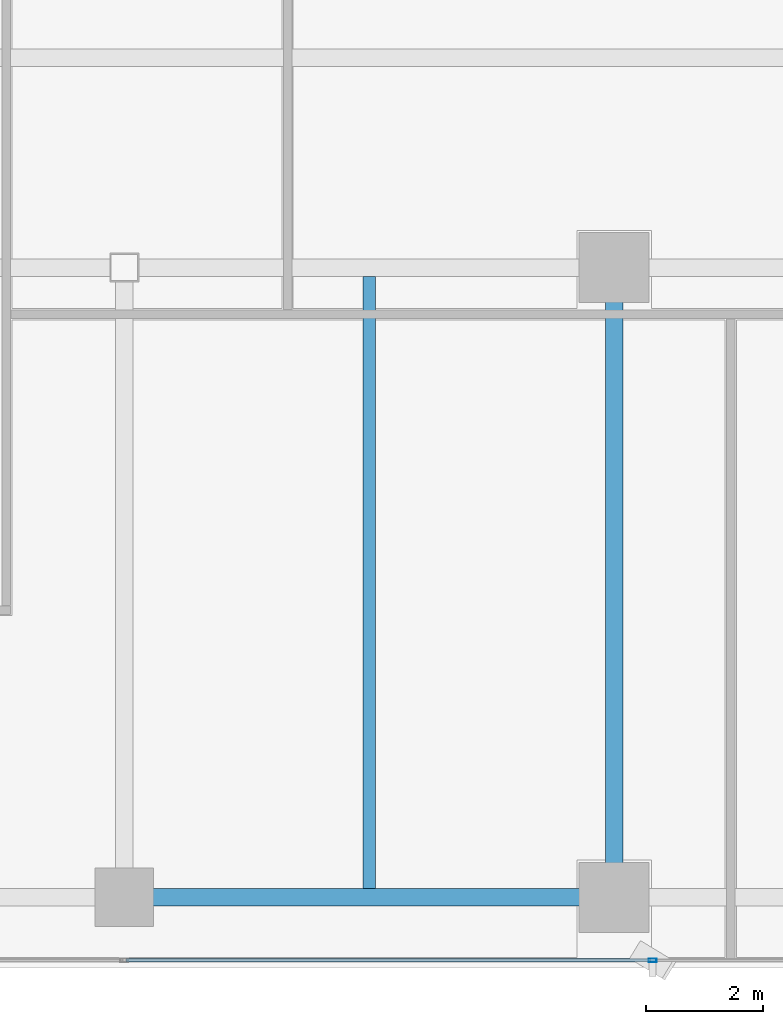
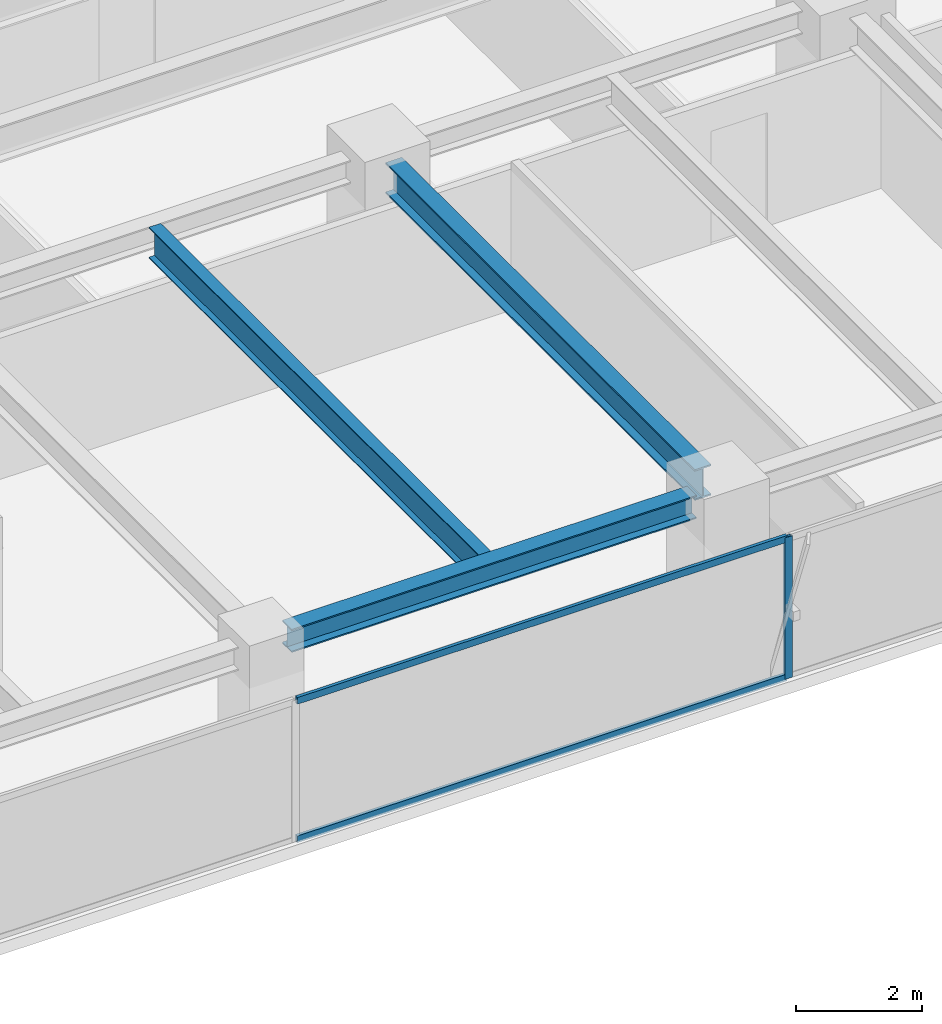
# One storey, part 7 of 26: 3 beams, 3 members, 1 element without a shape of its own.
"""IFC4 building model written with IfcOpenShell, lengths in metres."""

from ifc_helpers import new_model, si_unit, direction, frame, origin, origin_2d, place, context, subcontext, project, spatial, hollow_rectangle, i_section, extrude, source, transform, mapped, material, layer, layer_set, material_profile, profile_set, type_object, element, aggregate, save


model = new_model("IFC4")

# Units and contexts
model_context = context("Model", 3, precision=1e-05, world=origin(), true_north=direction((0.0, 1.0)))
body_context = subcontext(model_context, "Body", "Model", "MODEL_VIEW")
ifc_project = project(units=[si_unit("LENGTHUNIT", "METRE"), si_unit("AREAUNIT", "SQUARE_METRE"), si_unit("VOLUMEUNIT", "CUBIC_METRE"), si_unit("PLANEANGLEUNIT", "RADIAN"), si_unit("MASSUNIT", "GRAM", prefix="KILO")], contexts=[model_context])

# Site, building, storey
site_placement = place(None, origin())
site = spatial("IfcSite", under=ifc_project, at=site_placement, CompositionType="ELEMENT")
building_placement = place(site_placement, origin())
building = spatial("IfcBuilding", under=site, at=building_placement, Name="Sumidabori Civic Tower", CompositionType="ELEMENT")
storey_placement = place(building_placement, frame((0.0, 0.0, 243.199951171875)))
storey = spatial("IfcBuildingStorey", under=building, at=storey_placement, Name="L63", CompositionType="ELEMENT", Elevation=243.199951171875)

# Beams
ifc_material_1 = material(Name="Steel SN490", Category="steel")
ifc_material_profile_1 = material_profile(ifc_material_1, i_section(OverallWidth=0.300048828125, OverallDepth=0.60009765625, WebThickness=0.015380859375, FlangeThickness=0.030029296875, at=origin_2d()), Name="HE 600 B")
ifc_profile_set_1 = profile_set([ifc_material_profile_1], Name="Steel SN490")
beam_type_1 = type_object("IfcBeamType", Name="BM-GIRD-600", PredefinedType="BEAM", material=ifc_profile_set_1)
shared_shape_1 = source(origin(), body_context, "Body", "SweptSolid", [
    extrude(i_section(OverallWidth=0.300048828125, OverallDepth=0.60009765625, WebThickness=0.015380859375, FlangeThickness=0.030029296875, at=origin_2d()), origin(), (0.0, 0.0, 1.0), 9.840087890625),
])
beam_1_placement = place(storey_placement, frame((8.39990234375, -10.320068359375, 3.070068359375), z_axis=(0.0, 1.0, 0.0), x_axis=(-1.0, 0.0, 0.0)))
element("IfcBeam", 1, at=beam_1_placement, inside=storey, type_object=beam_type_1, Name="Primary Girder L63 GY-14", PredefinedType="BEAM", context=body_context, shape_type="MappedRepresentation", body=[
    mapped(shared_shape_1, transform((0.0, 0.0, 0.0), x_axis=(1.0, 0.0, 0.0), y_axis=(0.0, 1.0, 0.0), z_axis=(0.0, 0.0, 1.0), scale=1.0)),
])
ifc_material_profile_2 = material_profile(ifc_material_1, i_section(OverallWidth=0.300048828125, OverallDepth=0.449951171875, WebThickness=0.013916015625, FlangeThickness=0.02587890625, at=origin_2d()), Name="HE 450 B")
ifc_profile_set_2 = profile_set([ifc_material_profile_2], Name="Steel SN490")
beam_type_2 = type_object("IfcBeamType", Name="BM-GIRD-450", PredefinedType="BEAM", material=ifc_profile_set_2)
shared_shape_2 = source(origin(), body_context, "Body", "SweptSolid", [
    extrude(i_section(OverallWidth=0.300048828125, OverallDepth=0.449951171875, WebThickness=0.013916015625, FlangeThickness=0.02587890625, at=origin_2d()), origin(), (0.0, 0.0, 1.0), 7.43994140625),
])
beam_2_placement = place(storey_placement, frame((0.47998046875, -10.800048828125, 3.14501953125), z_axis=(1.0, 0.0, 0.0), x_axis=(0.0, 1.0, 0.0)))
element("IfcBeam", 2, at=beam_2_placement, inside=storey, type_object=beam_type_2, Name="Primary Girder L63 GX-03", PredefinedType="BEAM", context=body_context, shape_type="MappedRepresentation", body=[
    mapped(shared_shape_2, transform((0.0, 0.0, 0.0), x_axis=(1.0, 0.0, 0.0), y_axis=(0.0, 1.0, 0.0), z_axis=(0.0, 0.0, 1.0), scale=1.0)),
])
ifc_material_profile_3 = material_profile(ifc_material_1, i_section(OverallWidth=0.219970703125, OverallDepth=0.60009765625, WebThickness=0.011962890625, FlangeThickness=0.01904296875, at=origin_2d()), Name="IPE 600")
ifc_profile_set_3 = profile_set([ifc_material_profile_3], Name="Steel SN490")
beam_type_3 = type_object("IfcBeamType", Name="BM-JST-600", PredefinedType="JOIST", material=ifc_profile_set_3)
shared_shape_3 = source(origin(), body_context, "Body", "SweptSolid", [
    extrude(i_section(OverallWidth=0.219970703125, OverallDepth=0.60009765625, WebThickness=0.011962890625, FlangeThickness=0.01904296875, at=origin_2d()), origin(), (0.0, 0.0, 1.0), 10.5),
])
beam_3_placement = place(storey_placement, frame((4.199951171875, -10.64990234375, 3.070068359375), z_axis=(0.0, 1.0, 0.0), x_axis=(-1.0, 0.0, 0.0)))
element("IfcBeam", 3, at=beam_3_placement, inside=storey, type_object=beam_type_3, Name="Upper Lens N-S Floor Joist L63 JSTV-22", PredefinedType="JOIST", context=body_context, shape_type="MappedRepresentation", body=[
    mapped(shared_shape_3, transform((0.0, 0.0, 0.0), x_axis=(1.0, 0.0, 0.0), y_axis=(0.0, 1.0, 0.0), z_axis=(0.0, 0.0, 1.0), scale=1.0)),
])

# Curtain wall, members
ifc_material_2 = material(Name="Anodised Bronze Aluminium AW-6063-T6", Category="aluminium")
ifc_layer = layer(ifc_material_2, 0.179931640625, Name="Anodised Bronze Aluminium AW-6063-T6")
ifc_layer_set = layer_set([ifc_layer], Name="Anodised Bronze Aluminium AW-6063-T6")
curtain_wall_type = type_object("IfcCurtainWallType", Name="CW-SYS-5", PredefinedType="NOTDEFINED", material=ifc_layer_set)
curtain_wall_placement = place(storey_placement, origin())
curtain_wall = element("IfcCurtainWall", 4, at=curtain_wall_placement, inside=storey, type_object=curtain_wall_type, Name="Curtain Wall CW:L63:R01", PredefinedType="NOTDEFINED")
ifc_material_profile_4 = material_profile(ifc_material_2, hollow_rectangle(XDim=0.06005859375, YDim=0.139892578125, WallThickness=0.0048828125, at=origin_2d()), Name="ALU MULLION 140x60")
ifc_profile_set_4 = profile_set([ifc_material_profile_4], Name="Anodised Bronze Aluminium AW-6063-T6")
member_type_1 = type_object("IfcMemberType", Name="CW-MUL-140", PredefinedType="MULLION", material=ifc_profile_set_4)
shared_shape_4 = source(origin(), body_context, "Body", "SweptSolid", [
    extrude(hollow_rectangle(XDim=0.06005859375, YDim=0.139892578125, WallThickness=0.0048828125, at=origin_2d()), origin(), (0.0, 0.0, 1.0), 2.75),
])
member_1_placement = place(storey_placement, frame((9.06005859375, -11.8798828125, 0.0), z_axis=(0.0, 0.0, 1.0), x_axis=(0.0, 1.0, 0.0)))
member_1 = element("IfcMember", 5, at=member_1_placement, type_object=member_type_1, Name="CW-5 mullion 4", PredefinedType="MULLION", context=body_context, shape_type="MappedRepresentation", body=[
    mapped(shared_shape_4, transform((0.0, 0.0, 0.0), x_axis=(1.0, 0.0, 0.0), y_axis=(0.0, 1.0, 0.0), z_axis=(0.0, 0.0, 1.0), scale=1.0)),
])
ifc_material_profile_5 = material_profile(ifc_material_2, hollow_rectangle(XDim=0.06005859375, YDim=0.1298828125, WallThickness=0.0048828125, at=origin_2d()), Name="ALU TRANSOM 130x60")
ifc_profile_set_5 = profile_set([ifc_material_profile_5], Name="Anodised Bronze Aluminium AW-6063-T6")
member_type_2 = type_object("IfcMemberType", Name="CW-TRN-130", PredefinedType="USERDEFINED", material=ifc_profile_set_5)
shared_shape_5 = source(origin(), body_context, "Body", "SweptSolid", [
    extrude(hollow_rectangle(XDim=0.06005859375, YDim=0.1298828125, WallThickness=0.0048828125, at=origin_2d()), origin(), (0.0, 0.0, 1.0), 9.0),
])
member_2_placement = place(storey_placement, frame((0.030029296875, -11.8798828125, 0.030029296875), z_axis=(1.0, 0.0, 0.0), x_axis=(0.0, 1.0, 0.0)))
member_2 = element("IfcMember", 6, at=member_2_placement, type_object=member_type_2, Name="CW-5 transom 3.1", ObjectType="TRANSOM", PredefinedType="USERDEFINED", context=body_context, shape_type="MappedRepresentation", body=[
    mapped(shared_shape_5, transform((0.0, 0.0, 0.0), x_axis=(1.0, 0.0, 0.0), y_axis=(0.0, 1.0, 0.0), z_axis=(0.0, 0.0, 1.0), scale=1.0)),
])
member_3_placement = place(storey_placement, frame((0.030029296875, -11.8798828125, 2.719970703125), z_axis=(1.0, 0.0, 0.0), x_axis=(0.0, 1.0, 0.0)))
member_3 = element("IfcMember", 7, at=member_3_placement, type_object=member_type_2, Name="CW-5 transom 3.2", ObjectType="TRANSOM", PredefinedType="USERDEFINED", context=body_context, shape_type="MappedRepresentation", body=[
    mapped(shared_shape_5, transform((0.0, 0.0, 0.0), x_axis=(1.0, 0.0, 0.0), y_axis=(0.0, 1.0, 0.0), z_axis=(0.0, 0.0, 1.0), scale=1.0)),
])
aggregate(curtain_wall, [member_1, member_2, member_3])

save(model, "model.ifc")
